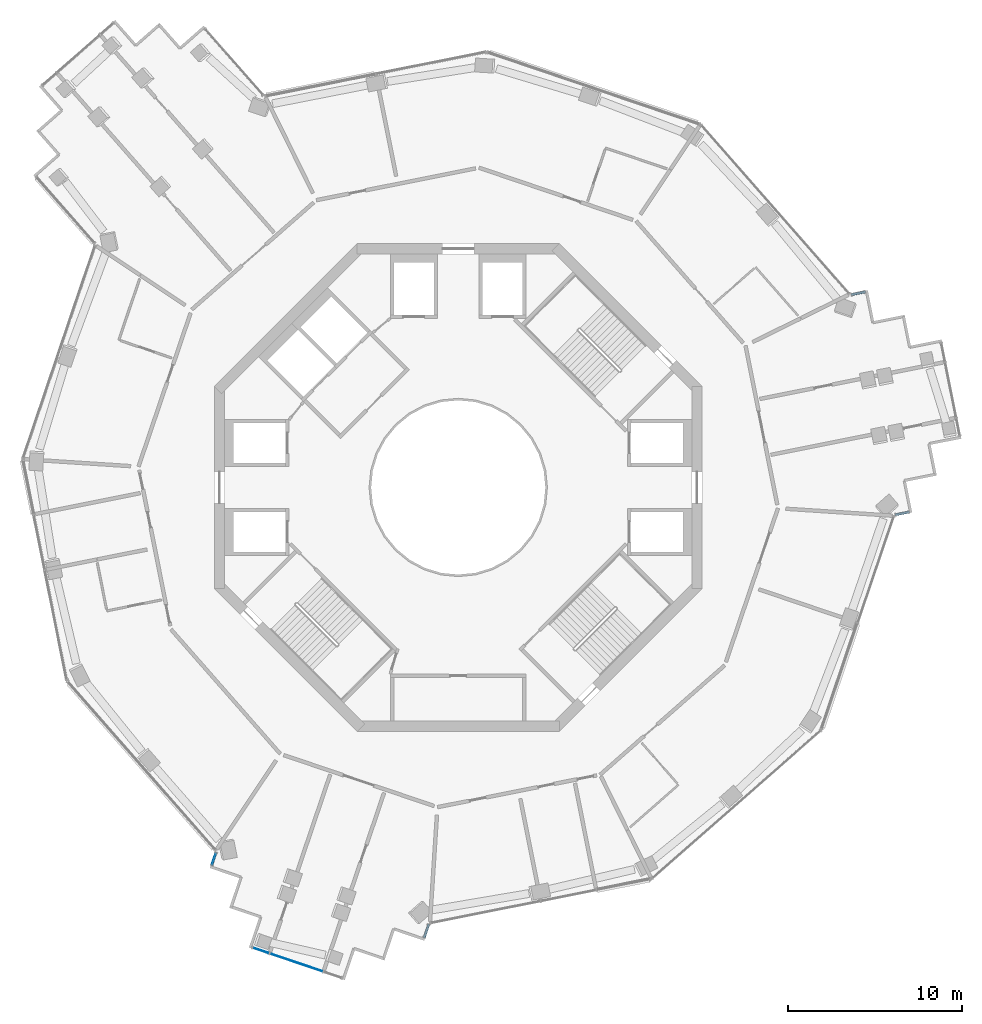
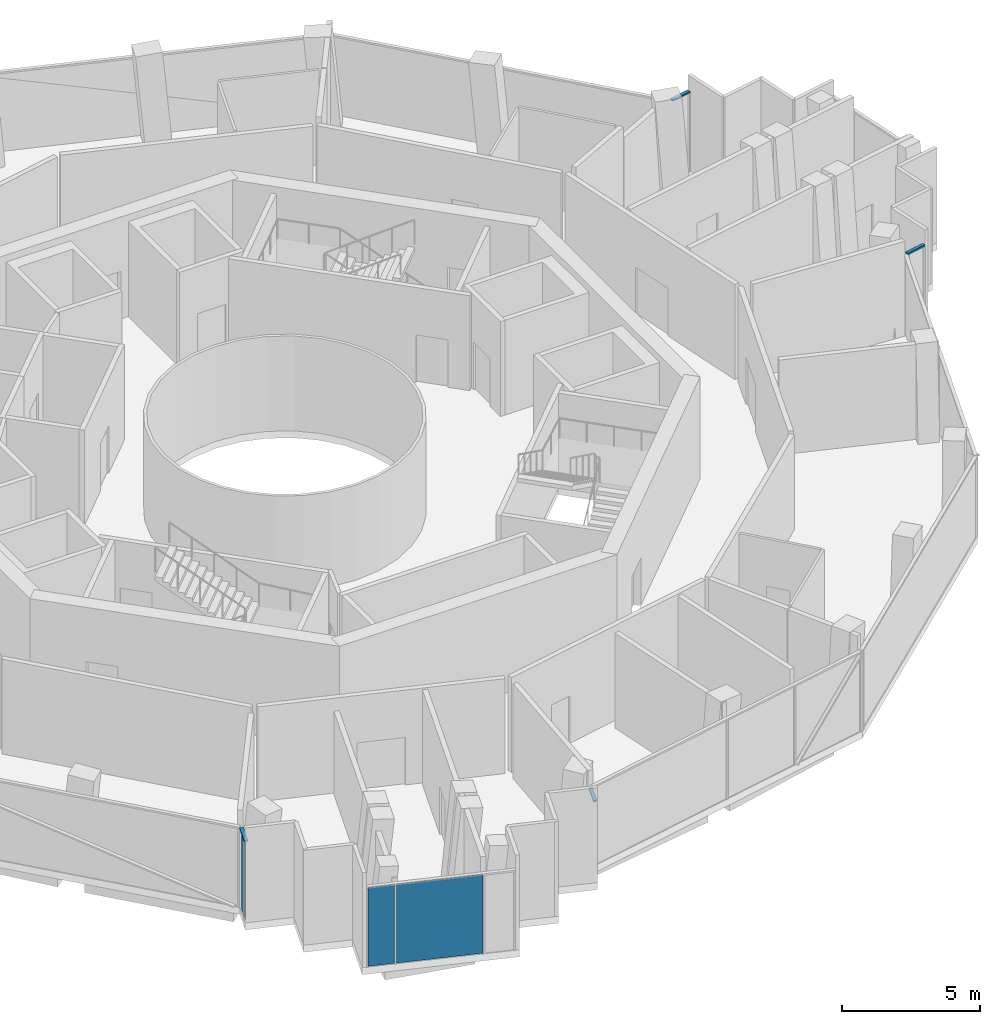
# One storey, part 7 of 17: 4 members, 3 plates, 5 elements without a shape of their own.
"""IFC4 building model written with IfcOpenShell, lengths in metres."""

from ifc_helpers import new_model, si_unit, direction, frame, origin, origin_2d, place, context, subcontext, project, spatial, rectangle, extrude, material, layer, layer_set, material_profile, profile_set, type_object, element, aggregate, save


model = new_model("IFC4")

# Units and contexts
model_context = context("Model", 3, precision=1e-05, world=origin(), true_north=direction((0.0, 1.0)))
body_context = subcontext(model_context, "Body", "Model", "MODEL_VIEW")
ifc_project = project(units=[si_unit("LENGTHUNIT", "METRE"), si_unit("AREAUNIT", "SQUARE_METRE"), si_unit("VOLUMEUNIT", "CUBIC_METRE"), si_unit("PLANEANGLEUNIT", "RADIAN"), si_unit("MASSUNIT", "GRAM", prefix="KILO")], contexts=[model_context])

# Site, building, storey
site_placement = place(None, origin())
site = spatial("IfcSite", under=ifc_project, at=site_placement, CompositionType="ELEMENT")
building_placement = place(site_placement, origin())
building = spatial("IfcBuilding", under=site, at=building_placement, Name="Verdalira Terraces Hotel", CompositionType="ELEMENT")
storey_placement = place(building_placement, frame((0.0, 0.0, 201.0)))
storey = spatial("IfcBuildingStorey", under=building, at=storey_placement, Name="L49", CompositionType="ELEMENT", Elevation=201.0)

# Curtain wall, member
ifc_material_1 = material(Name="Clear glass", Category="glass")
ifc_layer_1 = layer(ifc_material_1, 0.179931640625)
ifc_layer_set_1 = layer_set([ifc_layer_1], Name="CW4 curtain wall")
curtain_wall_type = type_object("IfcCurtainWallType", Name="CW4 curtain wall", PredefinedType="NOTDEFINED", material=ifc_layer_set_1)
curtain_wall_1_placement = place(storey_placement, origin())
curtain_wall_1 = element("IfcCurtainWall", 1, at=curtain_wall_1_placement, inside=storey, type_object=curtain_wall_type, Name="CW4 curtain wall L49 edge 14", PredefinedType="NOTDEFINED")
ifc_material_2 = material(Name="Terracotta frame", Category="masonry")
ifc_material_profile = material_profile(ifc_material_2, rectangle(XDim=0.139893, YDim=0.070068, at=origin_2d()), Name="TR 70x140")
ifc_profile_set = profile_set([ifc_material_profile], Name="Terracotta frame")
member_type = type_object("IfcMemberType", Name="CW4 transom 70x140", PredefinedType="USERDEFINED", material=ifc_profile_set)
member_1_placement = place(storey_placement, frame((-13.890381, -20.924561, 3.504883), z_axis=(-0.321061568, -0.947058324, 0.0), x_axis=(0.947058324, -0.321061568, 0.0)))
member_1 = element("IfcMember", 2, at=member_1_placement, type_object=member_type, Name="CW4 transom", ObjectType="TRANSOM", PredefinedType="USERDEFINED", context=body_context, shape_type="SweptSolid", body=[
    extrude(rectangle(XDim=0.139893, YDim=0.070068, at=origin_2d()), origin(), (0.0, 0.0, 1.0), 0.832764),
])

curtain_wall_2_placement = place(storey_placement, origin())
curtain_wall_2 = element("IfcCurtainWall", 3, at=curtain_wall_2_placement, inside=storey, type_object=curtain_wall_type, Name="CW4 curtain wall L49 edge 24", PredefinedType="NOTDEFINED")
member_2_placement = place(storey_placement, frame((-1.958984, -25.846924, 3.504883), z_axis=(0.320798548, 0.94714745, 0.0), x_axis=(-0.94714745, 0.320798548, 0.0)))
member_2 = element("IfcMember", 4, at=member_2_placement, type_object=member_type, Name="CW4 transom", ObjectType="TRANSOM", PredefinedType="USERDEFINED", context=body_context, shape_type="SweptSolid", body=[
    extrude(rectangle(XDim=0.139893, YDim=0.070068, at=origin_2d()), origin(), (0.0, 0.0, 1.0), 0.83252),
])
aggregate(curtain_wall_2, [member_2])

curtain_wall_3_placement = place(storey_placement, origin())
curtain_wall_3 = element("IfcCurtainWall", 5, at=curtain_wall_3_placement, inside=storey, type_object=curtain_wall_type, Name="CW4 curtain wall L49 edge 28", PredefinedType="NOTDEFINED")
member_3_placement = place(storey_placement, frame((25.066406, -1.567139, 3.504883), z_axis=(0.980693276, 0.195552291, 0.0), x_axis=(-0.195552291, 0.980693276, 0.0)))
member_3 = element("IfcMember", 6, at=member_3_placement, type_object=member_type, Name="CW4 transom", ObjectType="TRANSOM", PredefinedType="USERDEFINED", context=body_context, shape_type="SweptSolid", body=[
    extrude(rectangle(XDim=0.139893, YDim=0.070068, at=origin_2d()), origin(), (0.0, 0.0, 1.0), 0.832764),
])
aggregate(curtain_wall_3, [member_3])

curtain_wall_4_placement = place(storey_placement, origin())
curtain_wall_4 = element("IfcCurtainWall", 7, at=curtain_wall_4_placement, inside=storey, type_object=curtain_wall_type, Name="CW4 curtain wall L49 edge 38", PredefinedType="NOTDEFINED")
member_4_placement = place(storey_placement, frame((23.363525, 11.226807, 3.504883), z_axis=(-0.98068206, -0.195608533, 0.0), x_axis=(0.195608533, -0.98068206, 0.0)))
member_4 = element("IfcMember", 8, at=member_4_placement, type_object=member_type, Name="CW4 transom", ObjectType="TRANSOM", PredefinedType="USERDEFINED", context=body_context, shape_type="SweptSolid", body=[
    extrude(rectangle(XDim=0.139893, YDim=0.070068, at=origin_2d()), origin(), (0.0, 0.0, 1.0), 0.83252),
])
aggregate(curtain_wall_4, [member_4])

# Plate
ifc_material_3 = material(Name="Clear glass", Category="glass")
ifc_layer_2 = layer(ifc_material_3, 0.035888671875)
ifc_layer_set_2 = layer_set([ifc_layer_2], Name="CW4 glass unit 36")
plate_type = type_object("IfcPlateType", Name="CW4 glass unit 36", PredefinedType="CURTAIN_PANEL", material=ifc_layer_set_2)
plate_1_placement = place(storey_placement, frame((-14.02417, -21.318848, 0.0), z_axis=(0.0, 0.0, 1.0), x_axis=(-0.32094361, -0.947098305, 0.0)))
plate_1 = element("IfcPlate", 9, at=plate_1_placement, type_object=plate_type, Name="CW4 glass unit", PredefinedType="CURTAIN_PANEL", context=body_context, shape_type="SweptSolid", body=[
    extrude(rectangle(XDim=0.702637, YDim=0.035889, at=origin_2d()), origin(), (0.0, 0.0, 1.0), 3.469971),
])

aggregate(curtain_wall_1, [member_1, plate_1])

# Curtain wall, plates
curtain_wall_5_placement = place(storey_placement, origin())
curtain_wall_5 = element("IfcCurtainWall", 10, at=curtain_wall_5_placement, inside=storey, type_object=curtain_wall_type, Name="CW4 curtain wall L49 edge 19", PredefinedType="NOTDEFINED")
plate_2_placement = place(storey_placement, frame((-11.321045, -26.570557, 0.0), z_axis=(0.0, 0.0, 1.0), x_axis=(0.947098305, -0.32094361, 0.0)))
plate_2 = element("IfcPlate", 11, at=plate_2_placement, type_object=plate_type, Name="CW4 glass unit", PredefinedType="CURTAIN_PANEL", context=body_context, shape_type="SweptSolid", body=[
    extrude(rectangle(XDim=0.980957, YDim=0.035889, at=origin_2d()), origin(), (0.0, 0.0, 1.0), 3.469971),
])
plate_3_placement = place(storey_placement, frame((-9.279785, -27.262207, 0.0), z_axis=(0.0, 0.0, 1.0), x_axis=(0.947098305, -0.32094361, 0.0)))
plate_3 = element("IfcPlate", 12, at=plate_3_placement, type_object=plate_type, Name="CW4 glass unit", PredefinedType="CURTAIN_PANEL", context=body_context, shape_type="SweptSolid", body=[
    extrude(rectangle(XDim=3.199707, YDim=0.035889, at=origin_2d()), origin(), (0.0, 0.0, 1.0), 3.469971),
])
aggregate(curtain_wall_5, [plate_2, plate_3])

save(model, "model.ifc")
